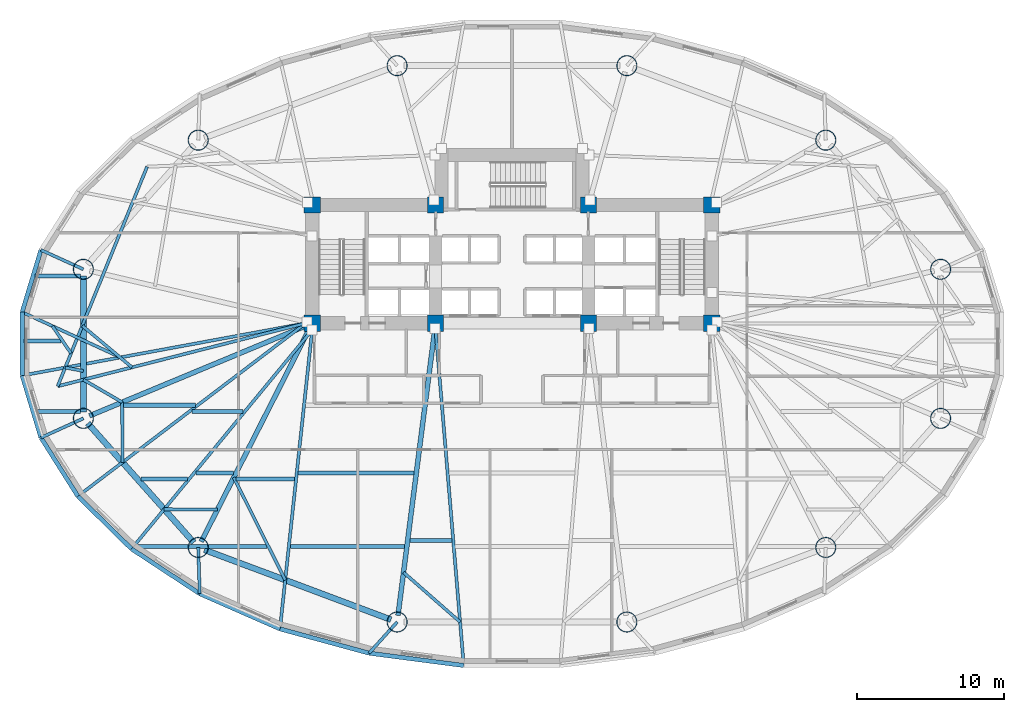
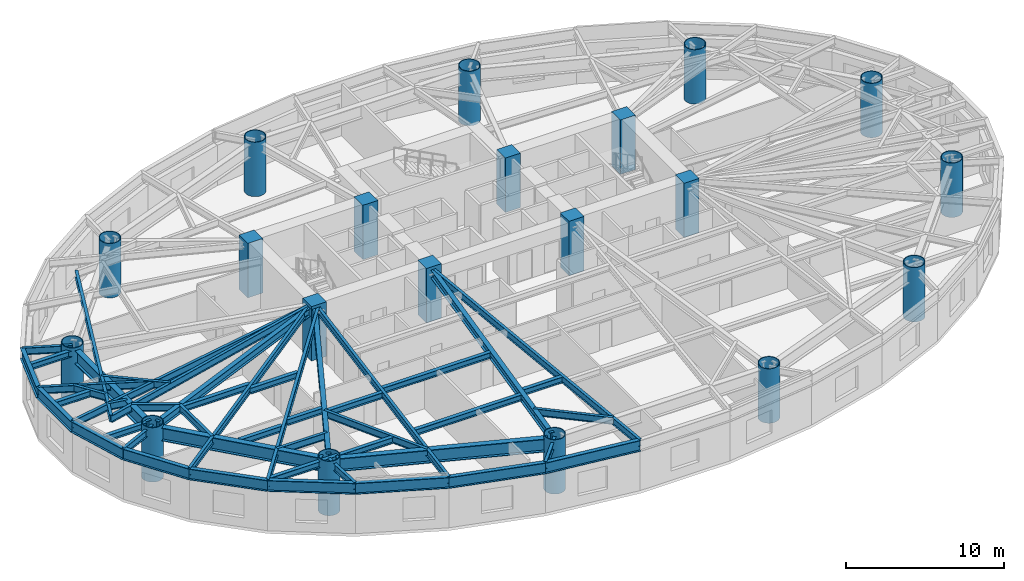
# One storey, part 1 of 14: 47 beams, 20 columns.
"""IFC4 building model written with IfcOpenShell, lengths in metres."""

from ifc_helpers import new_model, si_unit, direction, frame, origin, origin_2d, place, context, subcontext, project, spatial, rectangle, hollow_circle, i_section, extrude, material, material_profile, profile_set, type_object, element, save


model = new_model("IFC4")

# Units and contexts
model_context = context("Model", 3, precision=1e-05, world=origin(), true_north=direction((0.0, 1.0)))
body_context = subcontext(model_context, "Body", "Model", "MODEL_VIEW")
ifc_project = project(units=[si_unit("LENGTHUNIT", "METRE"), si_unit("AREAUNIT", "SQUARE_METRE"), si_unit("VOLUMEUNIT", "CUBIC_METRE"), si_unit("PLANEANGLEUNIT", "RADIAN"), si_unit("MASSUNIT", "GRAM", prefix="KILO")], contexts=[model_context])

# Site, building, storey
site_placement = place(None, origin())
site = spatial("IfcSite", under=ifc_project, at=site_placement, CompositionType="ELEMENT")
building_placement = place(site_placement, origin())
building = spatial("IfcBuilding", under=site, at=building_placement, Name="Keldmark Tower", CompositionType="ELEMENT")
storey_placement = place(building_placement, frame((0.0, 0.0, 14.39990234375)))
storey = spatial("IfcBuildingStorey", under=building, at=storey_placement, Name="L03", CompositionType="ELEMENT", Elevation=14.39990234375)

# Columns
ifc_material_1 = material(Name="Concrete C70/85", Category="concrete")
ifc_material_profile_1 = material_profile(ifc_material_1, rectangle(XDim=1.10009765625, YDim=1.10009765625, at=origin_2d()), Name="RC1100X1100")
ifc_profile_set_1 = profile_set([ifc_material_profile_1], Name="Concrete C70/85")
column_type_1 = type_object("IfcColumnType", Name="Core Boundary Column RC1100", PredefinedType="COLUMN", material=ifc_profile_set_1)
for number, where, z_axis, x_axis, name in (
    (1, (-13.60009765625, 1.39990234375, 0.0), (0.0, 0.0, 1.0), (1.0, 0.0, 0.0), "L03 Core Boundary Column CC-W1"),
    (2, (-13.60009765625, 9.449951171875, 0.0), (0.0, 0.0, 1.0), (1.0, 0.0, 0.0), "L03 Core Boundary Column CC-W2"),
    (3, (-5.199951171875, 1.39990234375, 0.0), (0.0, 0.0, 1.0), (1.0, 0.0, 0.0), "L03 Core Boundary Column CC-W3"),
    (4, (-5.199951171875, 9.449951171875, 0.0), (0.0, 0.0, 1.0), (1.0, 0.0, 0.0), "L03 Core Boundary Column CC-W4"),
    (5, (5.199951171875, 1.39990234375, 0.0), (0.0, 0.0, 1.0), (1.0, 0.0, 0.0), "L03 Core Boundary Column CC-E1"),
    (6, (5.199951171875, 9.449951171875, 0.0), (0.0, 0.0, 1.0), (1.0, 0.0, 0.0), "L03 Core Boundary Column CC-E2"),
    (7, (13.60009765625, 1.39990234375, 0.0), (0.0, 0.0, 1.0), (1.0, 0.0, 0.0), "L03 Core Boundary Column CC-E3"),
    (8, (13.60009765625, 9.449951171875, 0.0), (0.0, 0.0, 1.0), (1.0, 0.0, 0.0), "L03 Core Boundary Column CC-E4"),
):
    element("IfcColumn", number, at=place(storey_placement, frame(where, z_axis=z_axis, x_axis=x_axis)), inside=storey, type_object=column_type_1, Name=name, PredefinedType="COLUMN", context=body_context, shape_type="SweptSolid", body=[
        extrude(rectangle(XDim=1.10009765625, YDim=1.10009765625, at=origin_2d()), origin(), (0.0, 0.0, 1.0), 4.2001953125),
    ])
ifc_material_2 = material(Name="Steel ASTM A572 Grade 50", Category="steel")
ifc_material_profile_2 = material_profile(ifc_material_2, hollow_circle(Radius=0.699951171875, WallThickness=0.050048828125, at=origin_2d()), Name="CHS1400X50")
ifc_profile_set_2 = profile_set([ifc_material_profile_2], Name="Steel ASTM A572 Grade 50")
column_type_2 = type_object("IfcColumnType", Name="Pilotis Mega-Column Upper CHS1400", PredefinedType="USERDEFINED", material=ifc_profile_set_2)
for number, where, z_axis, x_axis, name in (
    (9, (29.1708984375, 5.072998046875, 0.0), (0.0, 0.0, 1.0), (1.0, 0.0, 0.0), "L03 Pilotis Mega-Column MC-01"),
    (10, (21.3544921875, 13.859375, 0.0), (0.0, 0.0, 1.0), (1.0, 0.0, 0.0), "L03 Pilotis Mega-Column MC-02"),
    (11, (7.81640625, 18.93212890625, 0.0), (0.0, 0.0, 1.0), (1.0, 0.0, 0.0), "L03 Pilotis Mega-Column MC-03"),
    (12, (-7.81640625, 18.93212890625, 0.0), (0.0, 0.0, 1.0), (1.0, 0.0, 0.0), "L03 Pilotis Mega-Column MC-04"),
    (13, (-21.3544921875, 13.859375, 0.0), (0.0, 0.0, 1.0), (1.0, 0.0, 0.0), "L03 Pilotis Mega-Column MC-05"),
    (14, (-29.1708984375, 5.072998046875, 0.0), (0.0, 0.0, 1.0), (1.0, 0.0, 0.0), "L03 Pilotis Mega-Column MC-06"),
    (15, (-29.1708984375, -5.072998046875, 0.0), (0.0, 0.0, 1.0), (1.0, 0.0, 0.0), "L03 Pilotis Mega-Column MC-07"),
    (16, (-21.3544921875, -13.859375, 0.0), (0.0, 0.0, 1.0), (1.0, 0.0, 0.0), "L03 Pilotis Mega-Column MC-08"),
    (17, (-7.81640625, -18.93212890625, 0.0), (0.0, 0.0, 1.0), (1.0, 0.0, 0.0), "L03 Pilotis Mega-Column MC-09"),
    (18, (7.81640625, -18.93212890625, 0.0), (0.0, 0.0, 1.0), (1.0, 0.0, 0.0), "L03 Pilotis Mega-Column MC-10"),
    (19, (21.3544921875, -13.859375, 0.0), (0.0, 0.0, 1.0), (1.0, 0.0, 0.0), "L03 Pilotis Mega-Column MC-11"),
    (20, (29.1708984375, -5.072998046875, 0.0), (0.0, 0.0, 1.0), (1.0, 0.0, 0.0), "L03 Pilotis Mega-Column MC-12"),
):
    element("IfcColumn", number, at=place(storey_placement, frame(where, z_axis=z_axis, x_axis=x_axis)), inside=storey, type_object=column_type_2, Name=name, ObjectType="MEGA COLUMN", PredefinedType="USERDEFINED", context=body_context, shape_type="SweptSolid", body=[
        extrude(hollow_circle(Radius=0.699951171875, WallThickness=0.050048828125, at=origin_2d()), origin(), (0.0, 0.0, 1.0), 4.2001953125),
    ])

# Beams
ifc_material_3 = material(Name="Steel ASTM A992 Grade 50", Category="steel")
ifc_material_profile_3 = material_profile(ifc_material_3, i_section(OverallWidth=0.280029296875, OverallDepth=0.462890625, WebThickness=0.0107421875, FlangeThickness=0.017333984375, at=origin_2d()), Name="W18X76")
ifc_profile_set_3 = profile_set([ifc_material_profile_3], Name="Steel ASTM A992 Grade 50")
beam_type_1 = type_object("IfcBeamType", Name="Composite Floor Joist W18X76", PredefinedType="JOIST", material=ifc_profile_set_3)
beam_1_placement = place(storey_placement, frame((-25.640625, -13.800048828125, 3.74853515625), z_axis=(1.0, 0.0, 0.0), x_axis=(0.0, 1.0, 0.0)))
element("IfcBeam", 21, at=beam_1_placement, inside=storey, type_object=beam_type_1, Name="L03 Composite Floor Joist J01", PredefinedType="JOIST", context=body_context, shape_type="SweptSolid", body=[
    extrude(i_section(OverallWidth=0.280029296875, OverallDepth=0.462890625, WebThickness=0.0107421875, FlangeThickness=0.017333984375, at=origin_2d()), origin(), (0.0, 0.0, 1.0), 8.95751953125),
])
beam_2_placement = place(storey_placement, frame((-15.091796875, -13.800048828125, 3.74853515625), z_axis=(1.0, 0.0, 0.0), x_axis=(0.0, 1.0, 0.0)))
element("IfcBeam", 22, at=beam_2_placement, inside=storey, type_object=beam_type_1, Name="L03 Composite Floor Joist J02", PredefinedType="JOIST", context=body_context, shape_type="SweptSolid", body=[
    extrude(i_section(OverallWidth=0.280029296875, OverallDepth=0.462890625, WebThickness=0.0107421875, FlangeThickness=0.017333984375, at=origin_2d()), origin(), (0.0, 0.0, 1.0), 7.780029296875),
])
beam_3_placement = place(storey_placement, frame((-6.946044921875, -13.3798828125, 3.74853515625), z_axis=(1.0, 0.0, 0.0), x_axis=(0.0, 1.0, 0.0)))
element("IfcBeam", 23, at=beam_3_placement, inside=storey, type_object=beam_type_1, Name="L03 Composite Floor Joist J03", PredefinedType="JOIST", context=body_context, shape_type="SweptSolid", body=[
    extrude(i_section(OverallWidth=0.280029296875, OverallDepth=0.462890625, WebThickness=0.0107421875, FlangeThickness=0.017333984375, at=origin_2d()), origin(), (0.0, 0.0, 1.0), 2.851806640625),
])
beam_4_placement = place(storey_placement, frame((-25.240966796875, -9.199951171875, 3.74853515625), z_axis=(1.0, 0.0, 0.0), x_axis=(0.0, 1.0, 0.0)))
element("IfcBeam", 24, at=beam_4_placement, inside=storey, type_object=beam_type_1, Name="L03 Composite Floor Joist J08", PredefinedType="JOIST", context=body_context, shape_type="SweptSolid", body=[
    extrude(i_section(OverallWidth=0.280029296875, OverallDepth=0.462890625, WebThickness=0.0107421875, FlangeThickness=0.017333984375, at=origin_2d()), origin(), (0.0, 0.0, 1.0), 3.142822265625),
])
beam_5_placement = place(storey_placement, frame((-21.5, -8.780029296875, 3.74853515625), z_axis=(1.0, 0.0, 0.0), x_axis=(0.0, 1.0, 0.0)))
element("IfcBeam", 25, at=beam_5_placement, inside=storey, type_object=beam_type_1, Name="L03 Composite Floor Joist J09", PredefinedType="JOIST", context=body_context, shape_type="SweptSolid", body=[
    extrude(i_section(OverallWidth=0.280029296875, OverallDepth=0.462890625, WebThickness=0.0107421875, FlangeThickness=0.017333984375, at=origin_2d()), origin(), (0.0, 0.0, 1.0), 2.552734375),
])
beam_6_placement = place(storey_placement, frame((-18.772216796875, -9.199951171875, 3.74853515625), z_axis=(1.0, 0.0, 0.0), x_axis=(0.0, 1.0, 0.0)))
element("IfcBeam", 26, at=beam_6_placement, inside=storey, type_object=beam_type_1, Name="L03 Composite Floor Joist J10", PredefinedType="JOIST", context=body_context, shape_type="SweptSolid", body=[
    extrude(i_section(OverallWidth=0.280029296875, OverallDepth=0.462890625, WebThickness=0.0107421875, FlangeThickness=0.017333984375, at=origin_2d()), origin(), (0.0, 0.0, 1.0), 3.982421875),
])
beam_7_placement = place(storey_placement, frame((-14.55126953125, -8.780029296875, 3.74853515625), z_axis=(1.0, 0.0, 0.0), x_axis=(0.0, 1.0, 0.0)))
element("IfcBeam", 27, at=beam_7_placement, inside=storey, type_object=beam_type_1, Name="L03 Composite Floor Joist J11", PredefinedType="JOIST", context=body_context, shape_type="SweptSolid", body=[
    extrude(i_section(OverallWidth=0.280029296875, OverallDepth=0.462890625, WebThickness=0.0107421875, FlangeThickness=0.017333984375, at=origin_2d()), origin(), (0.0, 0.0, 1.0), 7.885498046875),
])
beam_8_placement = place(storey_placement, frame((-32.455078125, -4.60009765625, 3.74853515625), z_axis=(1.0, 0.0, 0.0), x_axis=(0.0, 1.0, 0.0)))
element("IfcBeam", 28, at=beam_8_placement, inside=storey, type_object=beam_type_1, Name="L03 Composite Floor Joist J17", PredefinedType="JOIST", context=body_context, shape_type="SweptSolid", body=[
    extrude(i_section(OverallWidth=0.280029296875, OverallDepth=0.462890625, WebThickness=0.0107421875, FlangeThickness=0.017333984375, at=origin_2d()), origin(), (0.0, 0.0, 1.0), 3.092041015625),
])
beam_9_placement = place(storey_placement, frame((-26.43359375, -4.179931640625, 3.74853515625), z_axis=(1.0, 0.0, 0.0), x_axis=(0.0, 1.0, 0.0)))
element("IfcBeam", 29, at=beam_9_placement, inside=storey, type_object=beam_type_1, Name="L03 Composite Floor Joist J18", PredefinedType="JOIST", context=body_context, shape_type="SweptSolid", body=[
    extrude(i_section(OverallWidth=0.280029296875, OverallDepth=0.462890625, WebThickness=0.0107421875, FlangeThickness=0.017333984375, at=origin_2d()), origin(), (0.0, 0.0, 1.0), 4.87646484375),
])
beam_10_placement = place(storey_placement, frame((-21.7861328125, -4.60009765625, 3.74853515625), z_axis=(1.0, 0.0, 0.0), x_axis=(0.0, 1.0, 0.0)))
element("IfcBeam", 30, at=beam_10_placement, inside=storey, type_object=beam_type_1, Name="L03 Composite Floor Joist J19", PredefinedType="JOIST", context=body_context, shape_type="SweptSolid", body=[
    extrude(i_section(OverallWidth=0.280029296875, OverallDepth=0.462890625, WebThickness=0.0107421875, FlangeThickness=0.017333984375, at=origin_2d()), origin(), (0.0, 0.0, 1.0), 3.482177734375),
])
beam_11_placement = place(storey_placement, frame((-33.20166015625, 0.199951171875, 3.74853515625), z_axis=(1.0, 0.0, 0.0), x_axis=(0.0, 1.0, 0.0)))
element("IfcBeam", 31, at=beam_11_placement, inside=storey, type_object=beam_type_1, Name="L03 Composite Floor Joist J26", PredefinedType="JOIST", context=body_context, shape_type="SweptSolid", body=[
    extrude(i_section(OverallWidth=0.280029296875, OverallDepth=0.462890625, WebThickness=0.0107421875, FlangeThickness=0.017333984375, at=origin_2d()), origin(), (0.0, 0.0, 1.0), 2.49658203125),
])
beam_12_placement = place(storey_placement, frame((-32.44921875, 4.6201171875, 3.74853515625), z_axis=(1.0, 0.0, 0.0), x_axis=(0.0, 1.0, 0.0)))
element("IfcBeam", 32, at=beam_12_placement, inside=storey, type_object=beam_type_1, Name="L03 Composite Floor Joist J28", PredefinedType="JOIST", context=body_context, shape_type="SweptSolid", body=[
    extrude(i_section(OverallWidth=0.280029296875, OverallDepth=0.462890625, WebThickness=0.0107421875, FlangeThickness=0.017333984375, at=origin_2d()), origin(), (0.0, 0.0, 1.0), 3.086181640625),
])
ifc_material_4 = material(Name="Steel ASTM A992 Grade 50", Category="steel")
ifc_material_profile_4 = material_profile(ifc_material_4, i_section(OverallWidth=0.402099609375, OverallDepth=1.011962890625, WebThickness=0.023681640625, FlangeThickness=0.0419921875, at=origin_2d()), Name="W40X297")
ifc_profile_set_4 = profile_set([ifc_material_profile_4], Name="Steel ASTM A992 Grade 50")
beam_type_2 = type_object("IfcBeamType", Name="Podium Primary Girder W40X297", PredefinedType="BEAM", material=ifc_profile_set_4)
beam_13_placement = place(storey_placement, frame((-29.1708984375, 4.622802734375, 3.47412109375), z_axis=(0.0, -1.0, 0.0), x_axis=(1.0, 0.0, 0.0)))
element("IfcBeam", 33, at=beam_13_placement, inside=storey, type_object=beam_type_2, Name="L03 Podium Ring Girder PG-R06", PredefinedType="BEAM", context=body_context, shape_type="SweptSolid", body=[
    extrude(i_section(OverallWidth=0.402099609375, OverallDepth=1.011962890625, WebThickness=0.023681640625, FlangeThickness=0.0419921875, at=origin_2d()), origin(), (0.0, 0.0, 1.0), 9.24560546875),
])
beam_14_placement = place(storey_placement, frame((-28.871826171875, -5.4091796875, 3.47412109375), z_axis=(0.66464984112, -0.747154996436, 0.0), x_axis=(0.747154996436, 0.66464984112, 0.0)))
element("IfcBeam", 34, at=beam_14_placement, inside=storey, type_object=beam_type_2, Name="L03 Podium Ring Girder PG-R07", PredefinedType="BEAM", context=body_context, shape_type="SweptSolid", body=[
    extrude(i_section(OverallWidth=0.402099609375, OverallDepth=1.011962890625, WebThickness=0.023681640625, FlangeThickness=0.0419921875, at=origin_2d()), origin(), (0.0, 0.0, 1.0), 10.85986328125),
])
beam_15_placement = place(storey_placement, frame((-20.93310546875, -14.01708984375, 3.47412109375), z_axis=(0.936417954382, -0.350886612329, 0.0), x_axis=(0.350886612329, 0.936417954382, 0.0)))
element("IfcBeam", 35, at=beam_15_placement, inside=storey, type_object=beam_type_2, Name="L03 Podium Ring Girder PG-R08", PredefinedType="BEAM", context=body_context, shape_type="SweptSolid", body=[
    extrude(i_section(OverallWidth=0.402099609375, OverallDepth=1.011962890625, WebThickness=0.023681640625, FlangeThickness=0.0419921875, at=origin_2d()), origin(), (0.0, 0.0, 1.0), 13.557373046875),
])
ifc_material_5 = material(Name="Steel ASTM A992 Grade 50", Category="steel")
ifc_material_profile_5 = material_profile(ifc_material_5, i_section(OverallWidth=0.2099609375, OverallDepth=0.537109375, WebThickness=0.010986328125, FlangeThickness=0.017333984375, at=origin_2d()), Name="W21X68")
ifc_profile_set_5 = profile_set([ifc_material_profile_5], Name="Steel ASTM A992 Grade 50")
beam_type_3 = type_object("IfcBeamType", Name="Radial Tie Girder W21X68", PredefinedType="BEAM", material=ifc_profile_set_5)
beam_16_placement = place(storey_placement, frame((-26.53076171875, -3.975341796875, 3.711669921875), z_axis=(-0.864583927723, 0.502488439591, 0.0), x_axis=(-0.502488439591, -0.864583927723, 0.0)))
element("IfcBeam", 36, at=beam_16_placement, inside=storey, type_object=beam_type_3, Name="L03 Framing Pin Header PH-003", PredefinedType="BEAM", context=body_context, shape_type="SweptSolid", body=[
    extrude(i_section(OverallWidth=0.2099609375, OverallDepth=0.537109375, WebThickness=0.010986328125, FlangeThickness=0.017333984375, at=origin_2d()), origin(), (0.0, 0.0, 1.0), 3.0537109375),
])
beam_17_placement = place(storey_placement, frame((-14.050048828125, 1.39990234375, 3.711669921875), z_axis=(-0.969223280707, -0.246183330336, 0.0), x_axis=(0.246183330336, -0.969223280707, 0.0)))
element("IfcBeam", 37, at=beam_17_placement, inside=storey, type_object=beam_type_3, Name="L03 Sub-Ring Step Girder STP1-M07", PredefinedType="BEAM", context=body_context, shape_type="SweptSolid", body=[
    extrude(i_section(OverallWidth=0.2099609375, OverallDepth=0.537109375, WebThickness=0.010986328125, FlangeThickness=0.017333984375, at=origin_2d()), origin(), (0.0, 0.0, 1.0), 17.409423828125),
])
beam_18_placement = place(storey_placement, frame((-24.835205078125, 12.0546875, 3.711669921875), z_axis=(-0.377373313858, -0.926061219352, 0.0), x_axis=(0.926061219352, -0.377373313858, 0.0)))
element("IfcBeam", 38, at=beam_18_placement, inside=storey, type_object=beam_type_3, Name="L03 Perimeter Collector Ring Beam CRG1-M06", PredefinedType="BEAM", context=body_context, shape_type="SweptSolid", body=[
    extrude(i_section(OverallWidth=0.2099609375, OverallDepth=0.537109375, WebThickness=0.010986328125, FlangeThickness=0.017333984375, at=origin_2d()), origin(), (0.0, 0.0, 1.0), 16.133544921875),
])
beam_19_placement = place(storey_placement, frame((-25.861328125, -1.60009765625, 3.711669921875), z_axis=(-0.767009043325, 0.641636289075, 0.0), x_axis=(-0.641636289075, -0.767009043325, 0.0)))
element("IfcBeam", 39, at=beam_19_placement, inside=storey, type_object=beam_type_3, Name="L03 Framing Pin Header PH-006", PredefinedType="BEAM", context=body_context, shape_type="SweptSolid", body=[
    extrude(i_section(OverallWidth=0.2099609375, OverallDepth=0.537109375, WebThickness=0.010986328125, FlangeThickness=0.017333984375, at=origin_2d()), origin(), (0.0, 0.0, 1.0), 4.41259765625),
])
beam_20_placement = place(storey_placement, frame((-29.1708984375, 5.072998046875, 3.711669921875), z_axis=(-0.910237250682, 0.414087125458, 0.0), x_axis=(-0.414087125458, -0.910237250682, 0.0)))
element("IfcBeam", 40, at=beam_20_placement, inside=storey, type_object=beam_type_3, Name="L03 Perimeter Column Bracket RT-15", PredefinedType="BEAM", context=body_context, shape_type="SweptSolid", body=[
    extrude(i_section(OverallWidth=0.2099609375, OverallDepth=0.537109375, WebThickness=0.010986328125, FlangeThickness=0.017333984375, at=origin_2d()), origin(), (0.0, 0.0, 1.0), 3.17138671875),
])
beam_21_placement = place(storey_placement, frame((-30.01025390625, -0.644775390625, 3.711669921875), z_axis=(-0.564325178831, 0.825552598286, 0.0), x_axis=(-0.825552598286, -0.564325178831, 0.0)))
element("IfcBeam", 41, at=beam_21_placement, inside=storey, type_object=beam_type_3, Name="L03 Framing Pin Header PH-017", PredefinedType="BEAM", context=body_context, shape_type="SweptSolid", body=[
    extrude(i_section(OverallWidth=0.2099609375, OverallDepth=0.537109375, WebThickness=0.010986328125, FlangeThickness=0.017333984375, at=origin_2d()), origin(), (0.0, 0.0, 1.0), 2.244873046875),
])
beam_22_placement = place(storey_placement, frame((-26.70751953125, -0.892333984375, 3.711669921875), z_axis=(-0.908567400378, 0.417738290045, 0.0), x_axis=(-0.417738290045, -0.908567400378, 0.0)))
element("IfcBeam", 42, at=beam_22_placement, inside=storey, type_object=beam_type_3, Name="L03 Perimeter Radial Tie Girder RT-16", PredefinedType="BEAM", context=body_context, shape_type="SweptSolid", body=[
    extrude(i_section(OverallWidth=0.2099609375, OverallDepth=0.537109375, WebThickness=0.010986328125, FlangeThickness=0.017333984375, at=origin_2d()), origin(), (0.0, 0.0, 1.0), 7.29833984375),
])
beam_23_placement = place(storey_placement, frame((-29.1708984375, -1.84912109375, 3.711669921875), z_axis=(-0.982609535438, 0.185683873469, 0.0), x_axis=(-0.185683873469, -0.982609535438, 0.0)))
element("IfcBeam", 43, at=beam_23_placement, inside=storey, type_object=beam_type_3, Name="L03 Framing Pin Header PH-018", PredefinedType="BEAM", context=body_context, shape_type="SweptSolid", body=[
    extrude(i_section(OverallWidth=0.2099609375, OverallDepth=0.537109375, WebThickness=0.010986328125, FlangeThickness=0.017333984375, at=origin_2d()), origin(), (0.0, 0.0, 1.0), 1.257080078125),
])
beam_24_placement = place(storey_placement, frame((-14.050048828125, 1.39990234375, 3.711669921875), z_axis=(-0.983423761945, -0.181322101363, 0.0), x_axis=(0.181322101363, -0.983423761945, 0.0)))
element("IfcBeam", 44, at=beam_24_placement, inside=storey, type_object=beam_type_3, Name="L03 Perimeter Radial Tie Girder RT-17", PredefinedType="BEAM", context=body_context, shape_type="SweptSolid", body=[
    extrude(i_section(OverallWidth=0.2099609375, OverallDepth=0.537109375, WebThickness=0.010986328125, FlangeThickness=0.017333984375, at=origin_2d()), origin(), (0.0, 0.0, 1.0), 19.61376953125),
])
beam_25_placement = place(storey_placement, frame((-29.1708984375, -5.072998046875, 3.711669921875), z_axis=(-0.910237250682, -0.414087125458, 0.0), x_axis=(0.414087125458, -0.910237250682, 0.0)))
element("IfcBeam", 45, at=beam_25_placement, inside=storey, type_object=beam_type_3, Name="L03 Perimeter Column Bracket RT-18", PredefinedType="BEAM", context=body_context, shape_type="SweptSolid", body=[
    extrude(i_section(OverallWidth=0.2099609375, OverallDepth=0.537109375, WebThickness=0.010986328125, FlangeThickness=0.017333984375, at=origin_2d()), origin(), (0.0, 0.0, 1.0), 3.17138671875),
])
beam_26_placement = place(storey_placement, frame((-26.53076171875, -3.975341796875, 3.711669921875), z_axis=(0.005253345215, -0.999986201087, 0.0), x_axis=(0.999986201087, 0.005253345215, 0.0)))
element("IfcBeam", 46, at=beam_26_placement, inside=storey, type_object=beam_type_3, Name="L03 Framing Pin Header PH-019", PredefinedType="BEAM", context=body_context, shape_type="SweptSolid", body=[
    extrude(i_section(OverallWidth=0.2099609375, OverallDepth=0.537109375, WebThickness=0.010986328125, FlangeThickness=0.017333984375, at=origin_2d()), origin(), (0.0, 0.0, 1.0), 4.089599609375),
])
beam_27_placement = place(storey_placement, frame((-14.050048828125, 1.39990234375, 3.711669921875), z_axis=(-0.796291526481, -0.604913055616, 0.0), x_axis=(0.604913055616, -0.796291526481, 0.0)))
element("IfcBeam", 47, at=beam_27_placement, inside=storey, type_object=beam_type_3, Name="L03 Perimeter Radial Tie Girder RT-19", PredefinedType="BEAM", context=body_context, shape_type="SweptSolid", body=[
    extrude(i_section(OverallWidth=0.2099609375, OverallDepth=0.537109375, WebThickness=0.010986328125, FlangeThickness=0.017333984375, at=origin_2d()), origin(), (0.0, 0.0, 1.0), 19.458251953125),
])
beam_28_placement = place(storey_placement, frame((-20.0419921875, -11.276123046875, 3.711669921875), z_axis=(-0.999986569863, 0.005182672537, 0.0), x_axis=(-0.005182672537, -0.999986569863, 0.0)))
element("IfcBeam", 48, at=beam_28_placement, inside=storey, type_object=beam_type_3, Name="L03 Framing Pin Header PH-020", PredefinedType="BEAM", context=body_context, shape_type="SweptSolid", body=[
    extrude(i_section(OverallWidth=0.2099609375, OverallDepth=0.537109375, WebThickness=0.010986328125, FlangeThickness=0.017333984375, at=origin_2d()), origin(), (0.0, 0.0, 1.0), 3.627197265625),
])
beam_29_placement = place(storey_placement, frame((-13.60009765625, 0.949951171875, 3.711669921875), z_axis=(-0.636316421227, -0.771428163912, 0.0), x_axis=(0.771428163912, -0.636316421227, 0.0)))
element("IfcBeam", 49, at=beam_29_placement, inside=storey, type_object=beam_type_3, Name="L03 Perimeter Radial Tie Girder RT-20", PredefinedType="BEAM", context=body_context, shape_type="SweptSolid", body=[
    extrude(i_section(OverallWidth=0.2099609375, OverallDepth=0.537109375, WebThickness=0.010986328125, FlangeThickness=0.017333984375, at=origin_2d()), origin(), (0.0, 0.0, 1.0), 19.323486328125),
])
beam_30_placement = place(storey_placement, frame((-21.3544921875, -13.859375, 3.711669921875), z_axis=(0.032491176768, -0.999472022336, 0.0), x_axis=(0.999472022336, 0.032491176768, 0.0)))
element("IfcBeam", 50, at=beam_30_placement, inside=storey, type_object=beam_type_3, Name="L03 Perimeter Column Bracket RT-21", PredefinedType="BEAM", context=body_context, shape_type="SweptSolid", body=[
    extrude(i_section(OverallWidth=0.2099609375, OverallDepth=0.537109375, WebThickness=0.010986328125, FlangeThickness=0.017333984375, at=origin_2d()), origin(), (0.0, 0.0, 1.0), 3.1484375),
])
beam_31_placement = place(storey_placement, frame((-18.93310546875, -9.09423828125, 3.711669921875), z_axis=(0.447976051769, -0.894045556469, 0.0), x_axis=(0.894045556469, 0.447976051769, 0.0)))
element("IfcBeam", 51, at=beam_31_placement, inside=storey, type_object=beam_type_3, Name="L03 Framing Pin Header PH-021", PredefinedType="BEAM", context=body_context, shape_type="SweptSolid", body=[
    extrude(i_section(OverallWidth=0.2099609375, OverallDepth=0.537109375, WebThickness=0.010986328125, FlangeThickness=0.017333984375, at=origin_2d()), origin(), (0.0, 0.0, 1.0), 7.811279296875),
])
beam_32_placement = place(storey_placement, frame((-13.60009765625, 0.949951171875, 3.711669921875), z_axis=(-0.10706666985, -0.994251843452, 0.0), x_axis=(0.994251843452, -0.10706666985, 0.0)))
element("IfcBeam", 52, at=beam_32_placement, inside=storey, type_object=beam_type_3, Name="L03 Perimeter Radial Tie Girder RT-22", PredefinedType="BEAM", context=body_context, shape_type="SweptSolid", body=[
    extrude(i_section(OverallWidth=0.2099609375, OverallDepth=0.537109375, WebThickness=0.010986328125, FlangeThickness=0.017333984375, at=origin_2d()), origin(), (0.0, 0.0, 1.0), 20.469970703125),
])
beam_33_placement = place(storey_placement, frame((-7.81640625, -18.93212890625, 3.711669921875), z_axis=(-0.668898533975, -0.743353718795, 0.0), x_axis=(0.743353718795, -0.668898533975, 0.0)))
element("IfcBeam", 53, at=beam_33_placement, inside=storey, type_object=beam_type_3, Name="L03 Perimeter Column Bracket RT-23", PredefinedType="BEAM", context=body_context, shape_type="SweptSolid", body=[
    extrude(i_section(OverallWidth=0.2099609375, OverallDepth=0.537109375, WebThickness=0.010986328125, FlangeThickness=0.017333984375, at=origin_2d()), origin(), (0.0, 0.0, 1.0), 2.852783203125),
])
beam_34_placement = place(storey_placement, frame((-7.3818359375, -15.554931640625, 3.711669921875), z_axis=(0.751746259669, -0.659452470671, 0.0), x_axis=(0.659452470671, 0.751746259669, 0.0)))
element("IfcBeam", 54, at=beam_34_placement, inside=storey, type_object=beam_type_3, Name="L03 Framing Pin Header PH-022", PredefinedType="BEAM", context=body_context, shape_type="SweptSolid", body=[
    extrude(i_section(OverallWidth=0.2099609375, OverallDepth=0.537109375, WebThickness=0.010986328125, FlangeThickness=0.017333984375, at=origin_2d()), origin(), (0.0, 0.0, 1.0), 5.12109375),
])
beam_35_placement = place(storey_placement, frame((-5.199951171875, 0.949951171875, 3.711669921875), z_axis=(0.083591035889, -0.996500144867, 0.0), x_axis=(0.996500144867, 0.083591035889, 0.0)))
element("IfcBeam", 55, at=beam_35_placement, inside=storey, type_object=beam_type_3, Name="L03 Perimeter Radial Tie Girder RT-24", PredefinedType="BEAM", context=body_context, shape_type="SweptSolid", body=[
    extrude(i_section(OverallWidth=0.2099609375, OverallDepth=0.537109375, WebThickness=0.010986328125, FlangeThickness=0.017333984375, at=origin_2d()), origin(), (0.0, 0.0, 1.0), 22.92431640625),
])
ifc_material_6 = material(Name="Steel ASTM A992 Grade 50", Category="steel")
ifc_material_profile_6 = material_profile(ifc_material_6, i_section(OverallWidth=0.326904296875, OverallDepth=0.6220703125, WebThickness=0.015380859375, FlangeThickness=0.0244140625, at=origin_2d()), Name="W24X131")
ifc_profile_set_6 = profile_set([ifc_material_profile_6], Name="Steel ASTM A992 Grade 50")
beam_type_4 = type_object("IfcBeamType", Name="Spandrel Ring Beam W24X131", PredefinedType="SPANDREL", material=ifc_profile_set_6)
beam_36_placement = place(storey_placement, frame((-28.755615234375, -4.900146484375, 3.669189453125), z_axis=(0.923395872542, 0.383849010123, 0.0), x_axis=(-0.383849010123, 0.923395872542, 0.0)))
element("IfcBeam", 56, at=beam_36_placement, inside=storey, type_object=beam_type_4, Name="L03 Podium Radial Girder PG-C07", PredefinedType="SPANDREL", context=body_context, shape_type="SweptSolid", body=[
    extrude(i_section(OverallWidth=0.326904296875, OverallDepth=0.6220703125, WebThickness=0.015380859375, FlangeThickness=0.0244140625, at=origin_2d()), origin(), (0.0, 0.0, 1.0), 16.06298828125),
])
beam_37_placement = place(storey_placement, frame((-21.150634765625, -13.4580078125, 3.669189453125), z_axis=(0.45304555932, 0.891487364566, 0.0), x_axis=(-0.891487364566, 0.45304555932, 0.0)))
element("IfcBeam", 57, at=beam_37_placement, inside=storey, type_object=beam_type_4, Name="L03 Podium Radial Girder PG-C08", PredefinedType="SPANDREL", context=body_context, shape_type="SweptSolid", body=[
    extrude(i_section(OverallWidth=0.326904296875, OverallDepth=0.6220703125, WebThickness=0.015380859375, FlangeThickness=0.0244140625, at=origin_2d()), origin(), (0.0, 0.0, 1.0), 16.31640625),
])
beam_38_placement = place(storey_placement, frame((-7.7587890625, -18.48583984375, 3.669189453125), z_axis=(0.127622930912, 0.991822760127, 0.0), x_axis=(-0.991822760127, 0.127622930912, 0.0)))
element("IfcBeam", 58, at=beam_38_placement, inside=storey, type_object=beam_type_4, Name="L03 Podium Radial Girder PG-C09", PredefinedType="SPANDREL", context=body_context, shape_type="SweptSolid", body=[
    extrude(i_section(OverallWidth=0.326904296875, OverallDepth=0.6220703125, WebThickness=0.015380859375, FlangeThickness=0.0244140625, at=origin_2d()), origin(), (0.0, 0.0, 1.0), 19.699951171875),
])
ifc_material_7 = material(Name="Steel ASTM A992 Grade 50", Category="steel")
ifc_material_profile_7 = material_profile(ifc_material_7, i_section(OverallWidth=0.2919921875, OverallDepth=0.85888671875, WebThickness=0.01708984375, FlangeThickness=0.031005859375, at=origin_2d()), Name="W33X169")
ifc_profile_set_7 = profile_set([ifc_material_profile_7], Name="Steel ASTM A992 Grade 50")
beam_type_5 = type_object("IfcBeamType", Name="Spandrel Ring Beam W33X169", PredefinedType="SPANDREL", material=ifc_profile_set_7)
beam_39_placement = place(storey_placement, frame((-32.0576171875, 6.38623046875, 3.550537109375), z_axis=(-0.289855603468, -0.957070388811, 0.0), x_axis=(0.957070388811, -0.289855603468, 0.0)))
element("IfcBeam", 59, at=beam_39_placement, inside=storey, type_object=beam_type_5, Name="L03 Perimeter Spandrel Ring Beam SRB-15", PredefinedType="SPANDREL", context=body_context, shape_type="SweptSolid", body=[
    extrude(i_section(OverallWidth=0.2919921875, OverallDepth=0.85888671875, WebThickness=0.01708984375, FlangeThickness=0.031005859375, at=origin_2d()), origin(), (0.0, 0.0, 1.0), 4.41943359375),
])
beam_40_placement = place(storey_placement, frame((-33.338623046875, 2.156494140625, 3.550537109375), z_axis=(0.0, -1.0, 0.0), x_axis=(1.0, 0.0, 0.0)))
element("IfcBeam", 60, at=beam_40_placement, inside=storey, type_object=beam_type_5, Name="L03 Perimeter Spandrel Ring Beam SRB-16", PredefinedType="SPANDREL", context=body_context, shape_type="SweptSolid", body=[
    extrude(i_section(OverallWidth=0.2919921875, OverallDepth=0.85888671875, WebThickness=0.01708984375, FlangeThickness=0.031005859375, at=origin_2d()), origin(), (0.0, 0.0, 1.0), 4.31298828125),
])
beam_41_placement = place(storey_placement, frame((-33.338623046875, -2.156494140625, 3.550537109375), z_axis=(0.289855603468, -0.957070388811, 0.0), x_axis=(0.957070388811, 0.289855603468, 0.0)))
element("IfcBeam", 61, at=beam_41_placement, inside=storey, type_object=beam_type_5, Name="L03 Perimeter Spandrel Ring Beam SRB-17", PredefinedType="SPANDREL", context=body_context, shape_type="SweptSolid", body=[
    extrude(i_section(OverallWidth=0.2919921875, OverallDepth=0.85888671875, WebThickness=0.01708984375, FlangeThickness=0.031005859375, at=origin_2d()), origin(), (0.0, 0.0, 1.0), 4.41943359375),
])
beam_42_placement = place(storey_placement, frame((-32.0576171875, -6.38623046875, 3.550537109375), z_axis=(0.53349762721, -0.845801561693, 0.0), x_axis=(0.845801561693, 0.53349762721, 0.0)))
element("IfcBeam", 62, at=beam_42_placement, inside=storey, type_object=beam_type_5, Name="L03 Perimeter Spandrel Ring Beam SRB-18", PredefinedType="SPANDREL", context=body_context, shape_type="SweptSolid", body=[
    extrude(i_section(OverallWidth=0.2919921875, OverallDepth=0.85888671875, WebThickness=0.01708984375, FlangeThickness=0.031005859375, at=origin_2d()), origin(), (0.0, 0.0, 1.0), 4.710693359375),
])
beam_43_placement = place(storey_placement, frame((-29.54443359375, -10.37060546875, 3.550537109375), z_axis=(0.713165222071, -0.700995981464, 0.0), x_axis=(0.700995981464, 0.713165222071, 0.0)))
element("IfcBeam", 63, at=beam_43_placement, inside=storey, type_object=beam_type_5, Name="L03 Perimeter Spandrel Ring Beam SRB-19", PredefinedType="SPANDREL", context=body_context, shape_type="SweptSolid", body=[
    extrude(i_section(OverallWidth=0.2919921875, OverallDepth=0.85888671875, WebThickness=0.01708984375, FlangeThickness=0.031005859375, at=origin_2d()), origin(), (0.0, 0.0, 1.0), 5.11572265625),
])
beam_44_placement = place(storey_placement, frame((-25.89599609375, -13.956787109375, 3.550537109375), z_axis=(0.835897322981, -0.548885840073, 0.0), x_axis=(0.548885840073, 0.835897322981, 0.0)))
element("IfcBeam", 64, at=beam_44_placement, inside=storey, type_object=beam_type_5, Name="L03 Perimeter Spandrel Ring Beam SRB-20", PredefinedType="SPANDREL", context=body_context, shape_type="SweptSolid", body=[
    extrude(i_section(OverallWidth=0.2919921875, OverallDepth=0.85888671875, WebThickness=0.01708984375, FlangeThickness=0.031005859375, at=origin_2d()), origin(), (0.0, 0.0, 1.0), 5.555419921875),
])
beam_45_placement = place(storey_placement, frame((-21.252197265625, -17.006103515625, 3.550537109375), z_axis=(0.91570760638, -0.401845218484, 0.0), x_axis=(0.401845218484, 0.91570760638, 0.0)))
element("IfcBeam", 65, at=beam_45_placement, inside=storey, type_object=beam_type_5, Name="L03 Perimeter Spandrel Ring Beam SRB-21", PredefinedType="SPANDREL", context=body_context, shape_type="SweptSolid", body=[
    extrude(i_section(OverallWidth=0.2919921875, OverallDepth=0.85888671875, WebThickness=0.01708984375, FlangeThickness=0.031005859375, at=origin_2d()), origin(), (0.0, 0.0, 1.0), 5.963134765625),
])
beam_46_placement = place(storey_placement, frame((-15.791748046875, -19.40234375, 3.550537109375), z_axis=(0.964936550718, -0.262483243445, 0.0), x_axis=(0.262483243445, 0.964936550718, 0.0)))
element("IfcBeam", 66, at=beam_46_placement, inside=storey, type_object=beam_type_5, Name="L03 Perimeter Spandrel Ring Beam SRB-22", PredefinedType="SPANDREL", context=body_context, shape_type="SweptSolid", body=[
    extrude(i_section(OverallWidth=0.2919921875, OverallDepth=0.85888671875, WebThickness=0.01708984375, FlangeThickness=0.031005859375, at=origin_2d()), origin(), (0.0, 0.0, 1.0), 6.28759765625),
])
beam_47_placement = place(storey_placement, frame((-9.724609375, -21.052734375, 3.550537109375), z_axis=(0.991576921472, -0.129519144545, 0.0), x_axis=(0.129519144545, 0.991576921472, 0.0)))
element("IfcBeam", 67, at=beam_47_placement, inside=storey, type_object=beam_type_5, Name="L03 Perimeter Spandrel Ring Beam SRB-23", PredefinedType="SPANDREL", context=body_context, shape_type="SweptSolid", body=[
    extrude(i_section(OverallWidth=0.2919921875, OverallDepth=0.85888671875, WebThickness=0.01708984375, FlangeThickness=0.031005859375, at=origin_2d()), origin(), (0.0, 0.0, 1.0), 6.49560546875),
])

save(model, "model.ifc")
